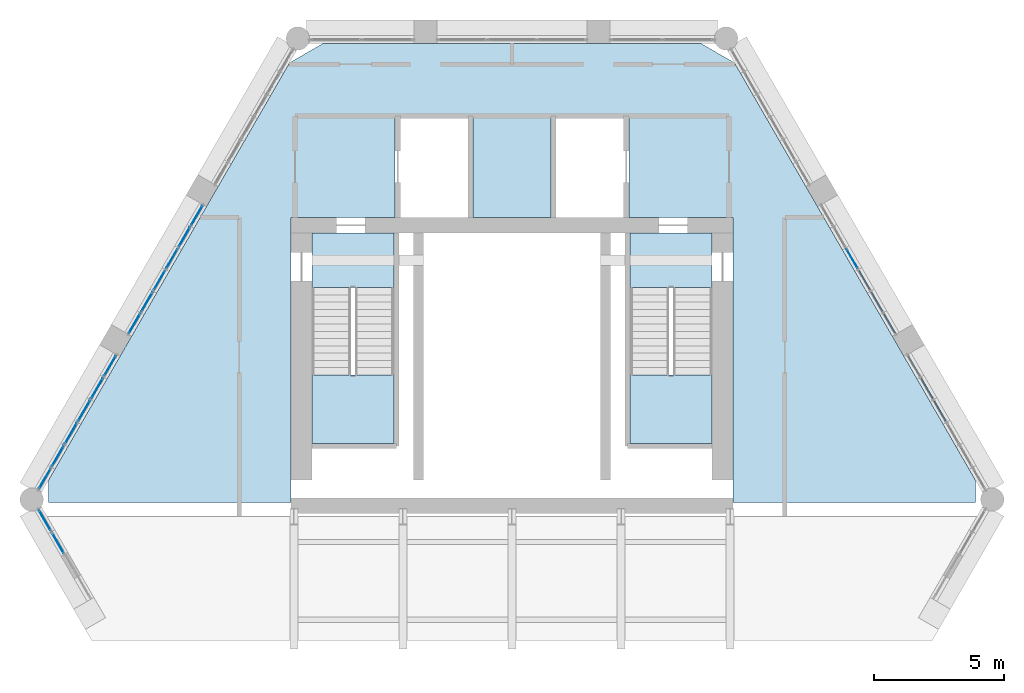
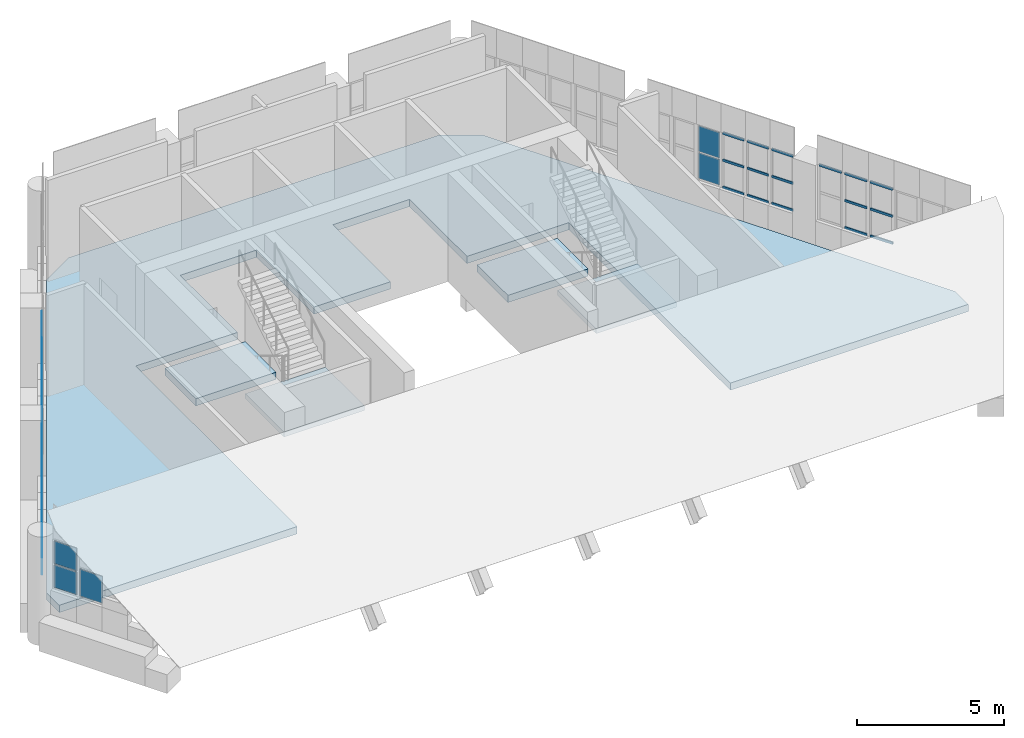
# One storey, part 13 of 20: 29 plates, 16 members, 5 slabs, 23 elements without a shape of their own.
"""IFC4 building model written with IfcOpenShell, lengths in metres."""

from ifc_helpers import new_model, si_unit, direction, frame, origin, origin_2d, place, context, subcontext, project, spatial, polyline, rectangle, hollow_rectangle, outline, extrude, material, layer, layer_set, material_profile, profile_set, type_object, element, aggregate, save


model = new_model("IFC4")

# Units and contexts
model_context = context("Model", 3, precision=1e-05, world=origin(), true_north=direction((0.0, 1.0)))
body_context = subcontext(model_context, "Body", "Model", "MODEL_VIEW")
ifc_project = project(units=[si_unit("LENGTHUNIT", "METRE"), si_unit("AREAUNIT", "SQUARE_METRE"), si_unit("VOLUMEUNIT", "CUBIC_METRE"), si_unit("PLANEANGLEUNIT", "RADIAN"), si_unit("MASSUNIT", "GRAM", prefix="KILO")], contexts=[model_context])

# Site, building, storey
site_placement = place(None, origin())
site = spatial("IfcSite", under=ifc_project, at=site_placement, CompositionType="ELEMENT")
building_placement = place(site_placement, origin())
building = spatial("IfcBuilding", under=site, at=building_placement, Name="Ostrander Bayou Hotel Tower", CompositionType="ELEMENT")
storey_placement = place(building_placement, frame((0.0, 0.0, 284.0)))
storey = spatial("IfcBuildingStorey", under=building, at=storey_placement, Name="L70", CompositionType="ELEMENT", Elevation=284.0)

# Curtain wall, members
ifc_material_1 = material(Name="Aluminium and clear glass", Category="aluminium")
curtain_wall_type = type_object("IfcCurtainWallType", Name="CW-CROWN glazed wall", PredefinedType="NOTDEFINED", material=ifc_material_1)
curtain_wall_1_placement = place(storey_placement, origin())
curtain_wall_1 = element("IfcCurtainWall", 1, at=curtain_wall_1_placement, inside=storey, type_object=curtain_wall_type, Name="CW-CROWN L70:NE-1-4", PredefinedType="NOTDEFINED")
ifc_material_2 = material(Name="Aluminium", Category="aluminium")
ifc_material_profile = material_profile(ifc_material_2, hollow_rectangle(XDim=0.050048828125, YDim=0.10009765625, WallThickness=0.00390625, at=origin_2d()))
ifc_profile_set = profile_set([ifc_material_profile], Name="Aluminium")
member_type = type_object("IfcMemberType", Name="CW-CR transom 50 x 100 mm", PredefinedType="USERDEFINED", material=ifc_profile_set)
member_1_placement = place(storey_placement, frame((16.695556640625, 1.86962890625, 1.030029296875), z_axis=(-0.500153222552, 0.865936922628, 0.0), x_axis=(-0.865936922628, -0.500153222552, 0.0)))
member_1 = element("IfcMember", 2, at=member_1_placement, type_object=member_type, Name="CW-CROWN transom 1.1", ObjectType="TRANSOM", PredefinedType="USERDEFINED", context=body_context, shape_type="SweptSolid", body=[
    extrude(hollow_rectangle(XDim=0.050048828125, YDim=0.10009765625, WallThickness=0.00390625, at=origin_2d()), origin(), (0.0, 0.0, 1.0), 0.883056640625),
])
member_2_placement = place(storey_placement, frame((16.695556640625, 1.86962890625, 2.14990234375), z_axis=(-0.500153222552, 0.865936922628, 0.0), x_axis=(-0.865936922628, -0.500153222552, 0.0)))
member_2 = element("IfcMember", 3, at=member_2_placement, type_object=member_type, Name="CW-CROWN transom 1.2", ObjectType="TRANSOM", PredefinedType="USERDEFINED", context=body_context, shape_type="SweptSolid", body=[
    extrude(hollow_rectangle(XDim=0.050048828125, YDim=0.10009765625, WallThickness=0.00390625, at=origin_2d()), origin(), (0.0, 0.0, 1.0), 0.883056640625),
])
member_3_placement = place(storey_placement, frame((16.695556640625, 1.86962890625, 3.27001953125), z_axis=(-0.500153222552, 0.865936922628, 0.0), x_axis=(-0.865936922628, -0.500153222552, 0.0)))
member_3 = element("IfcMember", 4, at=member_3_placement, type_object=member_type, Name="CW-CROWN transom 1.3", ObjectType="TRANSOM", PredefinedType="USERDEFINED", context=body_context, shape_type="SweptSolid", body=[
    extrude(hollow_rectangle(XDim=0.050048828125, YDim=0.10009765625, WallThickness=0.00390625, at=origin_2d()), origin(), (0.0, 0.0, 1.0), 0.883056640625),
])
aggregate(curtain_wall_1, [member_1, member_2, member_3])

curtain_wall_2_placement = place(storey_placement, origin())
curtain_wall_2 = element("IfcCurtainWall", 5, at=curtain_wall_2_placement, inside=storey, type_object=curtain_wall_type, Name="CW-CROWN L70:NE-1-5", PredefinedType="NOTDEFINED")
member_4_placement = place(storey_placement, frame((16.194091796875, 2.73828125, 1.030029296875), z_axis=(-0.500153222552, 0.865936922628, 0.0), x_axis=(-0.865936922628, -0.500153222552, 0.0)))
member_4 = element("IfcMember", 6, at=member_4_placement, type_object=member_type, Name="CW-CROWN transom 1.1", ObjectType="TRANSOM", PredefinedType="USERDEFINED", context=body_context, shape_type="SweptSolid", body=[
    extrude(hollow_rectangle(XDim=0.050048828125, YDim=0.10009765625, WallThickness=0.00390625, at=origin_2d()), origin(), (0.0, 0.0, 1.0), 0.883056640625),
])
member_5_placement = place(storey_placement, frame((16.194091796875, 2.73828125, 2.14990234375), z_axis=(-0.500153222552, 0.865936922628, 0.0), x_axis=(-0.865936922628, -0.500153222552, 0.0)))
member_5 = element("IfcMember", 7, at=member_5_placement, type_object=member_type, Name="CW-CROWN transom 1.2", ObjectType="TRANSOM", PredefinedType="USERDEFINED", context=body_context, shape_type="SweptSolid", body=[
    extrude(hollow_rectangle(XDim=0.050048828125, YDim=0.10009765625, WallThickness=0.00390625, at=origin_2d()), origin(), (0.0, 0.0, 1.0), 0.883056640625),
])
member_6_placement = place(storey_placement, frame((16.194091796875, 2.73828125, 3.27001953125), z_axis=(-0.500153222552, 0.865936922628, 0.0), x_axis=(-0.865936922628, -0.500153222552, 0.0)))
member_6 = element("IfcMember", 8, at=member_6_placement, type_object=member_type, Name="CW-CROWN transom 1.3", ObjectType="TRANSOM", PredefinedType="USERDEFINED", context=body_context, shape_type="SweptSolid", body=[
    extrude(hollow_rectangle(XDim=0.050048828125, YDim=0.10009765625, WallThickness=0.00390625, at=origin_2d()), origin(), (0.0, 0.0, 1.0), 0.883056640625),
])
aggregate(curtain_wall_2, [member_4, member_5, member_6])

# Curtain wall, member
curtain_wall_3_placement = place(storey_placement, origin())
curtain_wall_3 = element("IfcCurtainWall", 9, at=curtain_wall_3_placement, inside=storey, type_object=curtain_wall_type, Name="CW-CROWN L70:NE-1-6", PredefinedType="NOTDEFINED")
member_7_placement = place(storey_placement, frame((15.6923828125, 3.60693359375, 3.27001953125), z_axis=(-0.499826157957, 0.866125748273, 0.0), x_axis=(-0.866125748273, -0.499826157957, 0.0)))
member_7 = element("IfcMember", 10, at=member_7_placement, type_object=member_type, Name="CW-CROWN transom 1.3", ObjectType="TRANSOM", PredefinedType="USERDEFINED", context=body_context, shape_type="SweptSolid", body=[
    extrude(hollow_rectangle(XDim=0.050048828125, YDim=0.10009765625, WallThickness=0.00390625, at=origin_2d()), origin(), (0.0, 0.0, 1.0), 0.883056640625),
])
aggregate(curtain_wall_3, [member_7])

# Curtain wall, members
curtain_wall_4_placement = place(storey_placement, origin())
curtain_wall_4 = element("IfcCurtainWall", 11, at=curtain_wall_4_placement, inside=storey, type_object=curtain_wall_type, Name="CW-CROWN L70:NE-2-1", PredefinedType="NOTDEFINED")
member_8_placement = place(storey_placement, frame((14.740966796875, 5.255126953125, 1.030029296875), z_axis=(-0.500016035621, 0.866016145416, 0.0), x_axis=(-0.866016145416, -0.500016035621, 0.0)))
member_8 = element("IfcMember", 12, at=member_8_placement, type_object=member_type, Name="CW-CROWN transom 1.1", ObjectType="TRANSOM", PredefinedType="USERDEFINED", context=body_context, shape_type="SweptSolid", body=[
    extrude(hollow_rectangle(XDim=0.050048828125, YDim=0.10009765625, WallThickness=0.00390625, at=origin_2d()), origin(), (0.0, 0.0, 1.0), 0.83984375),
])
member_9_placement = place(storey_placement, frame((14.740966796875, 5.255126953125, 2.14990234375), z_axis=(-0.500016035621, 0.866016145416, 0.0), x_axis=(-0.866016145416, -0.500016035621, 0.0)))
member_9 = element("IfcMember", 13, at=member_9_placement, type_object=member_type, Name="CW-CROWN transom 1.2", ObjectType="TRANSOM", PredefinedType="USERDEFINED", context=body_context, shape_type="SweptSolid", body=[
    extrude(hollow_rectangle(XDim=0.050048828125, YDim=0.10009765625, WallThickness=0.00390625, at=origin_2d()), origin(), (0.0, 0.0, 1.0), 0.83984375),
])
member_10_placement = place(storey_placement, frame((14.740966796875, 5.255126953125, 3.27001953125), z_axis=(-0.500016035621, 0.866016145416, 0.0), x_axis=(-0.866016145416, -0.500016035621, 0.0)))
member_10 = element("IfcMember", 14, at=member_10_placement, type_object=member_type, Name="CW-CROWN transom 1.3", ObjectType="TRANSOM", PredefinedType="USERDEFINED", context=body_context, shape_type="SweptSolid", body=[
    extrude(hollow_rectangle(XDim=0.050048828125, YDim=0.10009765625, WallThickness=0.00390625, at=origin_2d()), origin(), (0.0, 0.0, 1.0), 0.83984375),
])
aggregate(curtain_wall_4, [member_8, member_9, member_10])

curtain_wall_5_placement = place(storey_placement, origin())
curtain_wall_5 = element("IfcCurtainWall", 15, at=curtain_wall_5_placement, inside=storey, type_object=curtain_wall_type, Name="CW-CROWN L70:NE-2-2", PredefinedType="NOTDEFINED")
member_11_placement = place(storey_placement, frame((14.260986328125, 6.086181640625, 1.030029296875), z_axis=(-0.500016035621, 0.866016145416, 0.0), x_axis=(-0.866016145416, -0.500016035621, 0.0)))
member_11 = element("IfcMember", 16, at=member_11_placement, type_object=member_type, Name="CW-CROWN transom 1.1", ObjectType="TRANSOM", PredefinedType="USERDEFINED", context=body_context, shape_type="SweptSolid", body=[
    extrude(hollow_rectangle(XDim=0.050048828125, YDim=0.10009765625, WallThickness=0.00390625, at=origin_2d()), origin(), (0.0, 0.0, 1.0), 0.83984375),
])
member_12_placement = place(storey_placement, frame((14.260986328125, 6.086181640625, 2.14990234375), z_axis=(-0.500016035621, 0.866016145416, 0.0), x_axis=(-0.866016145416, -0.500016035621, 0.0)))
member_12 = element("IfcMember", 17, at=member_12_placement, type_object=member_type, Name="CW-CROWN transom 1.2", ObjectType="TRANSOM", PredefinedType="USERDEFINED", context=body_context, shape_type="SweptSolid", body=[
    extrude(hollow_rectangle(XDim=0.050048828125, YDim=0.10009765625, WallThickness=0.00390625, at=origin_2d()), origin(), (0.0, 0.0, 1.0), 0.83984375),
])
member_13_placement = place(storey_placement, frame((14.260986328125, 6.086181640625, 3.27001953125), z_axis=(-0.500016035621, 0.866016145416, 0.0), x_axis=(-0.866016145416, -0.500016035621, 0.0)))
member_13 = element("IfcMember", 18, at=member_13_placement, type_object=member_type, Name="CW-CROWN transom 1.3", ObjectType="TRANSOM", PredefinedType="USERDEFINED", context=body_context, shape_type="SweptSolid", body=[
    extrude(hollow_rectangle(XDim=0.050048828125, YDim=0.10009765625, WallThickness=0.00390625, at=origin_2d()), origin(), (0.0, 0.0, 1.0), 0.83984375),
])
aggregate(curtain_wall_5, [member_11, member_12, member_13])

curtain_wall_6_placement = place(storey_placement, origin())
curtain_wall_6 = element("IfcCurtainWall", 19, at=curtain_wall_6_placement, inside=storey, type_object=curtain_wall_type, Name="CW-CROWN L70:NE-2-3", PredefinedType="NOTDEFINED")
member_14_placement = place(storey_placement, frame((13.781005859375, 6.91748046875, 1.030029296875), z_axis=(-0.500016035621, 0.866016145416, 0.0), x_axis=(-0.866016145416, -0.500016035621, 0.0)))
member_14 = element("IfcMember", 20, at=member_14_placement, type_object=member_type, Name="CW-CROWN transom 1.1", ObjectType="TRANSOM", PredefinedType="USERDEFINED", context=body_context, shape_type="SweptSolid", body=[
    extrude(hollow_rectangle(XDim=0.050048828125, YDim=0.10009765625, WallThickness=0.00390625, at=origin_2d()), origin(), (0.0, 0.0, 1.0), 0.83984375),
])
member_15_placement = place(storey_placement, frame((13.781005859375, 6.91748046875, 2.14990234375), z_axis=(-0.500016035621, 0.866016145416, 0.0), x_axis=(-0.866016145416, -0.500016035621, 0.0)))
member_15 = element("IfcMember", 21, at=member_15_placement, type_object=member_type, Name="CW-CROWN transom 1.2", ObjectType="TRANSOM", PredefinedType="USERDEFINED", context=body_context, shape_type="SweptSolid", body=[
    extrude(hollow_rectangle(XDim=0.050048828125, YDim=0.10009765625, WallThickness=0.00390625, at=origin_2d()), origin(), (0.0, 0.0, 1.0), 0.83984375),
])
member_16_placement = place(storey_placement, frame((13.781005859375, 6.91748046875, 3.27001953125), z_axis=(-0.500016035621, 0.866016145416, 0.0), x_axis=(-0.866016145416, -0.500016035621, 0.0)))
member_16 = element("IfcMember", 22, at=member_16_placement, type_object=member_type, Name="CW-CROWN transom 1.3", ObjectType="TRANSOM", PredefinedType="USERDEFINED", context=body_context, shape_type="SweptSolid", body=[
    extrude(hollow_rectangle(XDim=0.050048828125, YDim=0.10009765625, WallThickness=0.00390625, at=origin_2d()), origin(), (0.0, 0.0, 1.0), 0.83984375),
])
aggregate(curtain_wall_6, [member_14, member_15, member_16])

# Curtain wall, plates
curtain_wall_7_placement = place(storey_placement, origin())
curtain_wall_7 = element("IfcCurtainWall", 23, at=curtain_wall_7_placement, inside=storey, type_object=curtain_wall_type, Name="CW-CROWN L70:NW-2-1", PredefinedType="NOTDEFINED")
ifc_material_3 = material(Name="Clear laminated glass", Category="glass")
ifc_layer_1 = layer(ifc_material_3, 0.028076171875)
ifc_layer_set_1 = layer_set([ifc_layer_1], Name="CW-CR glazing panel 28 mm")
plate_type = type_object("IfcPlateType", Name="CW-CR glazing panel 28 mm", PredefinedType="CURTAIN_PANEL", material=ifc_layer_set_1)
plate_1_placement = place(storey_placement, frame((-12.13134765625, 9.77490234375, 1.06005859375), z_axis=(0.0, 0.0, 1.0), x_axis=(-0.500005045044, -0.866022491007, 0.0)))
plate_1 = element("IfcPlate", 24, at=plate_1_placement, type_object=plate_type, Name="CW-CROWN panel 1.1", PredefinedType="CURTAIN_PANEL", context=body_context, shape_type="SweptSolid", body=[
    extrude(rectangle(XDim=0.83984375, YDim=0.028076171875, at=origin_2d()), origin(), (0.0, 0.0, 1.0), 1.06005859375),
])
plate_2_placement = place(storey_placement, frame((-12.13134765625, 9.77490234375, 2.179931640625), z_axis=(0.0, 0.0, 1.0), x_axis=(-0.500005045044, -0.866022491007, 0.0)))
plate_2 = element("IfcPlate", 25, at=plate_2_placement, type_object=plate_type, Name="CW-CROWN panel 1.2", PredefinedType="CURTAIN_PANEL", context=body_context, shape_type="SweptSolid", body=[
    extrude(rectangle(XDim=0.83984375, YDim=0.028076171875, at=origin_2d()), origin(), (0.0, 0.0, 1.0), 1.06005859375),
])
aggregate(curtain_wall_7, [plate_1, plate_2])

curtain_wall_8_placement = place(storey_placement, origin())
curtain_wall_8 = element("IfcCurtainWall", 26, at=curtain_wall_8_placement, inside=storey, type_object=curtain_wall_type, Name="CW-CROWN L70:NW-2-2", PredefinedType="NOTDEFINED")
plate_3_placement = place(storey_placement, frame((-12.611328125, 8.943603515625, 1.06005859375), z_axis=(0.0, 0.0, 1.0), x_axis=(-0.500005045044, -0.866022491007, 0.0)))
plate_3 = element("IfcPlate", 27, at=plate_3_placement, type_object=plate_type, Name="CW-CROWN panel 1.1", PredefinedType="CURTAIN_PANEL", context=body_context, shape_type="SweptSolid", body=[
    extrude(rectangle(XDim=0.83984375, YDim=0.028076171875, at=origin_2d()), origin(), (0.0, 0.0, 1.0), 1.06005859375),
])
plate_4_placement = place(storey_placement, frame((-12.611328125, 8.943603515625, 2.179931640625), z_axis=(0.0, 0.0, 1.0), x_axis=(-0.500005045044, -0.866022491007, 0.0)))
plate_4 = element("IfcPlate", 28, at=plate_4_placement, type_object=plate_type, Name="CW-CROWN panel 1.2", PredefinedType="CURTAIN_PANEL", context=body_context, shape_type="SweptSolid", body=[
    extrude(rectangle(XDim=0.83984375, YDim=0.028076171875, at=origin_2d()), origin(), (0.0, 0.0, 1.0), 1.06005859375),
])
aggregate(curtain_wall_8, [plate_3, plate_4])

curtain_wall_9_placement = place(storey_placement, origin())
curtain_wall_9 = element("IfcCurtainWall", 29, at=curtain_wall_9_placement, inside=storey, type_object=curtain_wall_type, Name="CW-CROWN L70:NW-2-3", PredefinedType="NOTDEFINED")
plate_5_placement = place(storey_placement, frame((-13.09130859375, 8.1123046875, 1.06005859375), z_axis=(0.0, 0.0, 1.0), x_axis=(-0.500005045044, -0.866022491007, 0.0)))
plate_5 = element("IfcPlate", 30, at=plate_5_placement, type_object=plate_type, Name="CW-CROWN panel 1.1", PredefinedType="CURTAIN_PANEL", context=body_context, shape_type="SweptSolid", body=[
    extrude(rectangle(XDim=0.83984375, YDim=0.028076171875, at=origin_2d()), origin(), (0.0, 0.0, 1.0), 1.06005859375),
])
plate_6_placement = place(storey_placement, frame((-13.09130859375, 8.1123046875, 2.179931640625), z_axis=(0.0, 0.0, 1.0), x_axis=(-0.500005045044, -0.866022491007, 0.0)))
plate_6 = element("IfcPlate", 31, at=plate_6_placement, type_object=plate_type, Name="CW-CROWN panel 1.2", PredefinedType="CURTAIN_PANEL", context=body_context, shape_type="SweptSolid", body=[
    extrude(rectangle(XDim=0.83984375, YDim=0.028076171875, at=origin_2d()), origin(), (0.0, 0.0, 1.0), 1.06005859375),
])
aggregate(curtain_wall_9, [plate_5, plate_6])

curtain_wall_10_placement = place(storey_placement, origin())
curtain_wall_10 = element("IfcCurtainWall", 32, at=curtain_wall_10_placement, inside=storey, type_object=curtain_wall_type, Name="CW-CROWN L70:NW-2-4", PredefinedType="NOTDEFINED")
plate_7_placement = place(storey_placement, frame((-13.571044921875, 7.28125, 1.06005859375), z_axis=(0.0, 0.0, 1.0), x_axis=(-0.499959932788, -0.866048535364, 0.0)))
plate_7 = element("IfcPlate", 33, at=plate_7_placement, type_object=plate_type, Name="CW-CROWN panel 1.1", PredefinedType="CURTAIN_PANEL", context=body_context, shape_type="SweptSolid", body=[
    extrude(rectangle(XDim=0.83984375, YDim=0.028076171875, at=origin_2d()), origin(), (0.0, 0.0, 1.0), 1.06005859375),
])
plate_8_placement = place(storey_placement, frame((-13.571044921875, 7.28125, 2.179931640625), z_axis=(0.0, 0.0, 1.0), x_axis=(-0.499959932788, -0.866048535364, 0.0)))
plate_8 = element("IfcPlate", 34, at=plate_8_placement, type_object=plate_type, Name="CW-CROWN panel 1.2", PredefinedType="CURTAIN_PANEL", context=body_context, shape_type="SweptSolid", body=[
    extrude(rectangle(XDim=0.83984375, YDim=0.028076171875, at=origin_2d()), origin(), (0.0, 0.0, 1.0), 1.06005859375),
])
aggregate(curtain_wall_10, [plate_7, plate_8])

curtain_wall_11_placement = place(storey_placement, origin())
curtain_wall_11 = element("IfcCurtainWall", 35, at=curtain_wall_11_placement, inside=storey, type_object=curtain_wall_type, Name="CW-CROWN L70:NW-2-5", PredefinedType="NOTDEFINED")
plate_9_placement = place(storey_placement, frame((-14.051025390625, 6.449951171875, 1.06005859375), z_axis=(0.0, 0.0, 1.0), x_axis=(-0.500005045044, -0.866022491007, 0.0)))
plate_9 = element("IfcPlate", 36, at=plate_9_placement, type_object=plate_type, Name="CW-CROWN panel 1.1", PredefinedType="CURTAIN_PANEL", context=body_context, shape_type="SweptSolid", body=[
    extrude(rectangle(XDim=0.83984375, YDim=0.028076171875, at=origin_2d()), origin(), (0.0, 0.0, 1.0), 1.06005859375),
])
plate_10_placement = place(storey_placement, frame((-14.051025390625, 6.449951171875, 2.179931640625), z_axis=(0.0, 0.0, 1.0), x_axis=(-0.500005045044, -0.866022491007, 0.0)))
plate_10 = element("IfcPlate", 37, at=plate_10_placement, type_object=plate_type, Name="CW-CROWN panel 1.2", PredefinedType="CURTAIN_PANEL", context=body_context, shape_type="SweptSolid", body=[
    extrude(rectangle(XDim=0.83984375, YDim=0.028076171875, at=origin_2d()), origin(), (0.0, 0.0, 1.0), 1.06005859375),
])
aggregate(curtain_wall_11, [plate_9, plate_10])

curtain_wall_12_placement = place(storey_placement, origin())
curtain_wall_12 = element("IfcCurtainWall", 38, at=curtain_wall_12_placement, inside=storey, type_object=curtain_wall_type, Name="CW-CROWN L70:NW-2-6", PredefinedType="NOTDEFINED")
plate_11_placement = place(storey_placement, frame((-14.531005859375, 5.61865234375, 1.06005859375), z_axis=(0.0, 0.0, 1.0), x_axis=(-0.500005045044, -0.866022491007, 0.0)))
plate_11 = element("IfcPlate", 39, at=plate_11_placement, type_object=plate_type, Name="CW-CROWN panel 1.1", PredefinedType="CURTAIN_PANEL", context=body_context, shape_type="SweptSolid", body=[
    extrude(rectangle(XDim=0.83984375, YDim=0.028076171875, at=origin_2d()), origin(), (0.0, 0.0, 1.0), 1.06005859375),
])
plate_12_placement = place(storey_placement, frame((-14.531005859375, 5.61865234375, 2.179931640625), z_axis=(0.0, 0.0, 1.0), x_axis=(-0.500005045044, -0.866022491007, 0.0)))
plate_12 = element("IfcPlate", 40, at=plate_12_placement, type_object=plate_type, Name="CW-CROWN panel 1.2", PredefinedType="CURTAIN_PANEL", context=body_context, shape_type="SweptSolid", body=[
    extrude(rectangle(XDim=0.83984375, YDim=0.028076171875, at=origin_2d()), origin(), (0.0, 0.0, 1.0), 1.06005859375),
])
aggregate(curtain_wall_12, [plate_11, plate_12])

curtain_wall_13_placement = place(storey_placement, origin())
curtain_wall_13 = element("IfcCurtainWall", 41, at=curtain_wall_13_placement, inside=storey, type_object=curtain_wall_type, Name="CW-CROWN L70:NW-3-1", PredefinedType="NOTDEFINED")
plate_13_placement = place(storey_placement, frame((-15.4716796875, 3.9892578125, 1.06005859375), z_axis=(0.0, 0.0, 1.0), x_axis=(-0.499966966783, -0.866044474681, 0.0)))
plate_13 = element("IfcPlate", 42, at=plate_13_placement, type_object=plate_type, Name="CW-CROWN panel 1.1", PredefinedType="CURTAIN_PANEL", context=body_context, shape_type="SweptSolid", body=[
    extrude(rectangle(XDim=0.883056640625, YDim=0.028076171875, at=origin_2d()), origin(), (0.0, 0.0, 1.0), 1.06005859375),
])
plate_14_placement = place(storey_placement, frame((-15.4716796875, 3.9892578125, 2.179931640625), z_axis=(0.0, 0.0, 1.0), x_axis=(-0.499966966783, -0.866044474681, 0.0)))
plate_14 = element("IfcPlate", 43, at=plate_14_placement, type_object=plate_type, Name="CW-CROWN panel 1.2", PredefinedType="CURTAIN_PANEL", context=body_context, shape_type="SweptSolid", body=[
    extrude(rectangle(XDim=0.883056640625, YDim=0.028076171875, at=origin_2d()), origin(), (0.0, 0.0, 1.0), 1.06005859375),
])
aggregate(curtain_wall_13, [plate_13, plate_14])

curtain_wall_14_placement = place(storey_placement, origin())
curtain_wall_14 = element("IfcCurtainWall", 44, at=curtain_wall_14_placement, inside=storey, type_object=curtain_wall_type, Name="CW-CROWN L70:NW-3-2", PredefinedType="NOTDEFINED")
plate_15_placement = place(storey_placement, frame((-15.97314453125, 3.12060546875, 1.06005859375), z_axis=(0.0, 0.0, 1.0), x_axis=(-0.50004173523, -0.866001306597, 0.0)))
plate_15 = element("IfcPlate", 45, at=plate_15_placement, type_object=plate_type, Name="CW-CROWN panel 1.1", PredefinedType="CURTAIN_PANEL", context=body_context, shape_type="SweptSolid", body=[
    extrude(rectangle(XDim=0.883056640625, YDim=0.028076171875, at=origin_2d()), origin(), (0.0, 0.0, 1.0), 1.06005859375),
])
plate_16_placement = place(storey_placement, frame((-15.97314453125, 3.12060546875, 2.179931640625), z_axis=(0.0, 0.0, 1.0), x_axis=(-0.50004173523, -0.866001306597, 0.0)))
plate_16 = element("IfcPlate", 46, at=plate_16_placement, type_object=plate_type, Name="CW-CROWN panel 1.2", PredefinedType="CURTAIN_PANEL", context=body_context, shape_type="SweptSolid", body=[
    extrude(rectangle(XDim=0.883056640625, YDim=0.028076171875, at=origin_2d()), origin(), (0.0, 0.0, 1.0), 1.06005859375),
])
aggregate(curtain_wall_14, [plate_15, plate_16])

curtain_wall_15_placement = place(storey_placement, origin())
curtain_wall_15 = element("IfcCurtainWall", 47, at=curtain_wall_15_placement, inside=storey, type_object=curtain_wall_type, Name="CW-CROWN L70:NW-3-3", PredefinedType="NOTDEFINED")
plate_17_placement = place(storey_placement, frame((-16.474853515625, 2.251953125, 1.06005859375), z_axis=(0.0, 0.0, 1.0), x_axis=(-0.500010136897, -0.866019551165, 0.0)))
plate_17 = element("IfcPlate", 48, at=plate_17_placement, type_object=plate_type, Name="CW-CROWN panel 1.1", PredefinedType="CURTAIN_PANEL", context=body_context, shape_type="SweptSolid", body=[
    extrude(rectangle(XDim=0.883056640625, YDim=0.028076171875, at=origin_2d()), origin(), (0.0, 0.0, 1.0), 1.06005859375),
])
plate_18_placement = place(storey_placement, frame((-16.474853515625, 2.251953125, 2.179931640625), z_axis=(0.0, 0.0, 1.0), x_axis=(-0.500010136897, -0.866019551165, 0.0)))
plate_18 = element("IfcPlate", 49, at=plate_18_placement, type_object=plate_type, Name="CW-CROWN panel 1.2", PredefinedType="CURTAIN_PANEL", context=body_context, shape_type="SweptSolid", body=[
    extrude(rectangle(XDim=0.883056640625, YDim=0.028076171875, at=origin_2d()), origin(), (0.0, 0.0, 1.0), 1.06005859375),
])
aggregate(curtain_wall_15, [plate_17, plate_18])

curtain_wall_16_placement = place(storey_placement, origin())
curtain_wall_16 = element("IfcCurtainWall", 50, at=curtain_wall_16_placement, inside=storey, type_object=curtain_wall_type, Name="CW-CROWN L70:NW-3-4", PredefinedType="NOTDEFINED")
plate_19_placement = place(storey_placement, frame((-16.976318359375, 1.38330078125, 1.06005859375), z_axis=(0.0, 0.0, 1.0), x_axis=(-0.499966966783, -0.866044474681, 0.0)))
plate_19 = element("IfcPlate", 51, at=plate_19_placement, type_object=plate_type, Name="CW-CROWN panel 1.1", PredefinedType="CURTAIN_PANEL", context=body_context, shape_type="SweptSolid", body=[
    extrude(rectangle(XDim=0.883056640625, YDim=0.028076171875, at=origin_2d()), origin(), (0.0, 0.0, 1.0), 1.06005859375),
])
plate_20_placement = place(storey_placement, frame((-16.976318359375, 1.38330078125, 2.179931640625), z_axis=(0.0, 0.0, 1.0), x_axis=(-0.499966966783, -0.866044474681, 0.0)))
plate_20 = element("IfcPlate", 52, at=plate_20_placement, type_object=plate_type, Name="CW-CROWN panel 1.2", PredefinedType="CURTAIN_PANEL", context=body_context, shape_type="SweptSolid", body=[
    extrude(rectangle(XDim=0.883056640625, YDim=0.028076171875, at=origin_2d()), origin(), (0.0, 0.0, 1.0), 1.06005859375),
])
aggregate(curtain_wall_16, [plate_19, plate_20])

curtain_wall_17_placement = place(storey_placement, origin())
curtain_wall_17 = element("IfcCurtainWall", 53, at=curtain_wall_17_placement, inside=storey, type_object=curtain_wall_type, Name="CW-CROWN L70:NW-3-5", PredefinedType="NOTDEFINED")
plate_21_placement = place(storey_placement, frame((-17.477783203125, 0.5146484375, 1.06005859375), z_axis=(0.0, 0.0, 1.0), x_axis=(-0.499966966783, -0.866044474681, 0.0)))
plate_21 = element("IfcPlate", 54, at=plate_21_placement, type_object=plate_type, Name="CW-CROWN panel 1.1", PredefinedType="CURTAIN_PANEL", context=body_context, shape_type="SweptSolid", body=[
    extrude(rectangle(XDim=0.883056640625, YDim=0.028076171875, at=origin_2d()), origin(), (0.0, 0.0, 1.0), 1.06005859375),
])
plate_22_placement = place(storey_placement, frame((-17.477783203125, 0.5146484375, 2.179931640625), z_axis=(0.0, 0.0, 1.0), x_axis=(-0.499966966783, -0.866044474681, 0.0)))
plate_22 = element("IfcPlate", 55, at=plate_22_placement, type_object=plate_type, Name="CW-CROWN panel 1.2", PredefinedType="CURTAIN_PANEL", context=body_context, shape_type="SweptSolid", body=[
    extrude(rectangle(XDim=0.883056640625, YDim=0.028076171875, at=origin_2d()), origin(), (0.0, 0.0, 1.0), 1.06005859375),
])
aggregate(curtain_wall_17, [plate_21, plate_22])

curtain_wall_18_placement = place(storey_placement, origin())
curtain_wall_18 = element("IfcCurtainWall", 56, at=curtain_wall_18_placement, inside=storey, type_object=curtain_wall_type, Name="CW-CROWN L70:NW-3-6", PredefinedType="NOTDEFINED")
plate_23_placement = place(storey_placement, frame((-17.979248046875, -0.35400390625, 1.06005859375), z_axis=(0.0, 0.0, 1.0), x_axis=(-0.500084907485, -0.865976376875, 0.0)))
plate_23 = element("IfcPlate", 57, at=plate_23_placement, type_object=plate_type, Name="CW-CROWN panel 1.1", PredefinedType="CURTAIN_PANEL", context=body_context, shape_type="SweptSolid", body=[
    extrude(rectangle(XDim=0.883056640625, YDim=0.028076171875, at=origin_2d()), origin(), (0.0, 0.0, 1.0), 1.06005859375),
])
plate_24_placement = place(storey_placement, frame((-17.979248046875, -0.35400390625, 2.179931640625), z_axis=(0.0, 0.0, 1.0), x_axis=(-0.500084907485, -0.865976376875, 0.0)))
plate_24 = element("IfcPlate", 58, at=plate_24_placement, type_object=plate_type, Name="CW-CROWN panel 1.2", PredefinedType="CURTAIN_PANEL", context=body_context, shape_type="SweptSolid", body=[
    extrude(rectangle(XDim=0.883056640625, YDim=0.028076171875, at=origin_2d()), origin(), (0.0, 0.0, 1.0), 1.06005859375),
])
aggregate(curtain_wall_18, [plate_23, plate_24])

curtain_wall_19_placement = place(storey_placement, origin())
curtain_wall_19 = element("IfcCurtainWall", 59, at=curtain_wall_19_placement, inside=storey, type_object=curtain_wall_type, Name="CW-CROWN L70:SW-1-1", PredefinedType="NOTDEFINED")
plate_25_placement = place(storey_placement, frame((-17.97900390625, -1.959228515625, 1.06005859375), z_axis=(0.0, 0.0, 1.0), x_axis=(0.499963896343, -0.866046247237, 0.0)))
plate_25 = element("IfcPlate", 60, at=plate_25_placement, type_object=plate_type, Name="CW-CROWN panel 1.1", PredefinedType="CURTAIN_PANEL", context=body_context, shape_type="SweptSolid", body=[
    extrude(rectangle(XDim=0.8837890625, YDim=0.028076171875, at=origin_2d()), origin(), (0.0, 0.0, 1.0), 0.935302734375),
])
plate_26_placement = place(storey_placement, frame((-17.97900390625, -1.959228515625, 2.05517578125), z_axis=(0.0, 0.0, 1.0), x_axis=(0.499963896343, -0.866046247237, 0.0)))
plate_26 = element("IfcPlate", 61, at=plate_26_placement, type_object=plate_type, Name="CW-CROWN panel 1.2", PredefinedType="CURTAIN_PANEL", context=body_context, shape_type="SweptSolid", body=[
    extrude(rectangle(XDim=0.8837890625, YDim=0.028076171875, at=origin_2d()), origin(), (0.0, 0.0, 1.0), 0.935302734375),
])
aggregate(curtain_wall_19, [plate_25, plate_26])

# Curtain wall, plate
curtain_wall_20_placement = place(storey_placement, origin())
curtain_wall_20 = element("IfcCurtainWall", 62, at=curtain_wall_20_placement, inside=storey, type_object=curtain_wall_type, Name="CW-CROWN L70:SW-1-2", PredefinedType="NOTDEFINED")
plate_27_placement = place(storey_placement, frame((-17.47705078125, -2.82861328125, 1.06005859375), z_axis=(0.0, 0.0, 1.0), x_axis=(0.500007031615, -0.866021344042, 0.0)))
plate_27 = element("IfcPlate", 63, at=plate_27_placement, type_object=plate_type, Name="CW-CROWN panel 1.1", PredefinedType="CURTAIN_PANEL", context=body_context, shape_type="SweptSolid", body=[
    extrude(rectangle(XDim=0.8837890625, YDim=0.028076171875, at=origin_2d()), origin(), (0.0, 0.0, 1.0), 1.11181640625),
])
aggregate(curtain_wall_20, [plate_27])

# Curtain wall, plates
curtain_wall_21_placement = place(storey_placement, origin())
curtain_wall_21 = element("IfcCurtainWall", 64, at=curtain_wall_21_placement, inside=storey, type_object=curtain_wall_type, Name="CW-CROWN L70:NE-2-4", PredefinedType="NOTDEFINED")
plate_28_placement = place(storey_placement, frame((13.09130859375, 8.1123046875, 1.06005859375), z_axis=(0.0, 0.0, 1.0), x_axis=(-0.500005045044, 0.866022491007, 0.0)))
plate_28 = element("IfcPlate", 65, at=plate_28_placement, type_object=plate_type, Name="CW-CROWN panel 1.1", PredefinedType="CURTAIN_PANEL", context=body_context, shape_type="SweptSolid", body=[
    extrude(rectangle(XDim=0.83984375, YDim=0.028076171875, at=origin_2d()), origin(), (0.0, 0.0, 1.0), 1.06005859375),
])
plate_29_placement = place(storey_placement, frame((13.09130859375, 8.1123046875, 2.179931640625), z_axis=(0.0, 0.0, 1.0), x_axis=(-0.500005045044, 0.866022491007, 0.0)))
plate_29 = element("IfcPlate", 66, at=plate_29_placement, type_object=plate_type, Name="CW-CROWN panel 1.2", PredefinedType="CURTAIN_PANEL", context=body_context, shape_type="SweptSolid", body=[
    extrude(rectangle(XDim=0.83984375, YDim=0.028076171875, at=origin_2d()), origin(), (0.0, 0.0, 1.0), 1.06005859375),
])
aggregate(curtain_wall_21, [plate_28, plate_29])

# Slabs
ifc_material_4 = material(Name="Concrete f'c 40 MPa", Category="concrete")
ifc_layer_2 = layer(ifc_material_4, 0.300048828125)
ifc_layer_set_2 = layer_set([ifc_layer_2], Name="SL1 floor slab 300 mm f'c 40 MPa")
slab_type_1 = type_object("IfcSlabType", Name="SL1 floor slab 300 mm f'c 40 MPa", PredefinedType="FLOOR", material=ifc_layer_set_2)
slab_1_placement = place(storey_placement, frame((0.0, 0.0, -0.300048828125)))
element("IfcSlab", 67, at=slab_1_placement, inside=storey, type_object=slab_type_1, Name="SL1 L70 1", PredefinedType="FLOOR", context=body_context, shape_type="SweptSolid", body=[
    extrude(outline(polyline([(17.83642578125, -0.406494140625), (17.83642578125, -1.27978515625), (8.5, -1.27978515625), (8.5, 9.699951171875), (4.5, 9.699951171875), (4.5, 13.60009765625), (1.5, 13.60009765625), (1.5, 9.699951171875), (-1.5, 9.699951171875), (-1.5, 13.60009765625), (-4.5, 13.60009765625), (-4.5, 9.699951171875), (-8.5, 9.699951171875), (-8.5, -1.27978515625), (-17.83642578125, -1.27978515625), (-17.83642578125, -0.406494140625), (-8.566162109375, 15.64990234375), (-7.26708984375, 16.39990234375), (7.26708984375, 16.39990234375), (8.566162109375, 15.64990234375), (17.83642578125, -0.406494140625)])), origin(), (0.0, 0.0, 1.0), 0.300048828125),
])
slab_2_placement = place(storey_placement, frame((0.0, 0.0, -0.300048828125)))
element("IfcSlab", 68, at=slab_2_placement, inside=storey, type_object=slab_type_1, Name="cslab:L70:001", PredefinedType="FLOOR", context=body_context, shape_type="SweptSolid", body=[
    extrude(outline(polyline([(-7.699951171875, 7.0), (-7.699951171875, 9.10009765625), (-4.550048828125, 9.10009765625), (-4.550048828125, 7.0), (-7.699951171875, 7.0)])), origin(), (0.0, 0.0, 1.0), 0.300048828125),
])
slab_3_placement = place(storey_placement, frame((0.0, 0.0, -0.300048828125)))
element("IfcSlab", 69, at=slab_3_placement, inside=storey, type_object=slab_type_1, Name="cslab:L70:002", PredefinedType="FLOOR", context=body_context, shape_type="SweptSolid", body=[
    extrude(outline(polyline([(4.550048828125, 7.0), (4.550048828125, 9.10009765625), (7.699951171875, 9.10009765625), (7.699951171875, 7.0), (4.550048828125, 7.0)])), origin(), (0.0, 0.0, 1.0), 0.300048828125),
])

# Stair, slab
ifc_material_5 = material(Name="Concrete f'c 45 MPa", Category="concrete")
stair_type = type_object("IfcStairType", Name="ST1 exit stair 1500 mm f'c 45 MPa", PredefinedType="HALF_TURN_STAIR", material=ifc_material_5)
stair_1_placement = place(storey_placement, origin())
stair_1 = element("IfcStair", 70, at=stair_1_placement, inside=storey, type_object=stair_type, Name="L70 exit stair A", PredefinedType="HALF_TURN_STAIR")
ifc_material_6 = material(Name="Concrete f'c 45 MPa", Category="concrete")
ifc_layer_3 = layer(ifc_material_6, 0.199951171875)
ifc_layer_set_3 = layer_set([ifc_layer_3], Name="SL8 stair landing 200 mm f'c 45 MPa")
slab_type_2 = type_object("IfcSlabType", Name="SL8 stair landing 200 mm f'c 45 MPa", PredefinedType="LANDING", material=ifc_layer_set_3)
slab_4_placement = place(storey_placement, frame((0.0, 0.0, 2.050048828125)))
slab_4 = element("IfcSlab", 71, at=slab_4_placement, type_object=slab_type_2, Name="STA landing 1", PredefinedType="LANDING", context=body_context, shape_type="SweptSolid", body=[
    extrude(outline(polyline([(-7.699951171875, 3.639892578125), (-7.699951171875, 1.0), (-4.550048828125, 1.0), (-4.550048828125, 3.639892578125), (-7.699951171875, 3.639892578125)])), origin(), (0.0, 0.0, 1.0), 0.199951171875),
])
aggregate(stair_1, [slab_4])

stair_2_placement = place(storey_placement, origin())
stair_2 = element("IfcStair", 72, at=stair_2_placement, inside=storey, type_object=stair_type, Name="L70 exit stair B", PredefinedType="HALF_TURN_STAIR")
slab_5_placement = place(storey_placement, frame((0.0, 0.0, 2.050048828125)))
slab_5 = element("IfcSlab", 73, at=slab_5_placement, type_object=slab_type_2, Name="STB landing 1", PredefinedType="LANDING", context=body_context, shape_type="SweptSolid", body=[
    extrude(outline(polyline([(4.550048828125, 3.639892578125), (4.550048828125, 1.0), (7.699951171875, 1.0), (7.699951171875, 3.639892578125), (4.550048828125, 3.639892578125)])), origin(), (0.0, 0.0, 1.0), 0.199951171875),
])
aggregate(stair_2, [slab_5])

save(model, "model.ifc")
